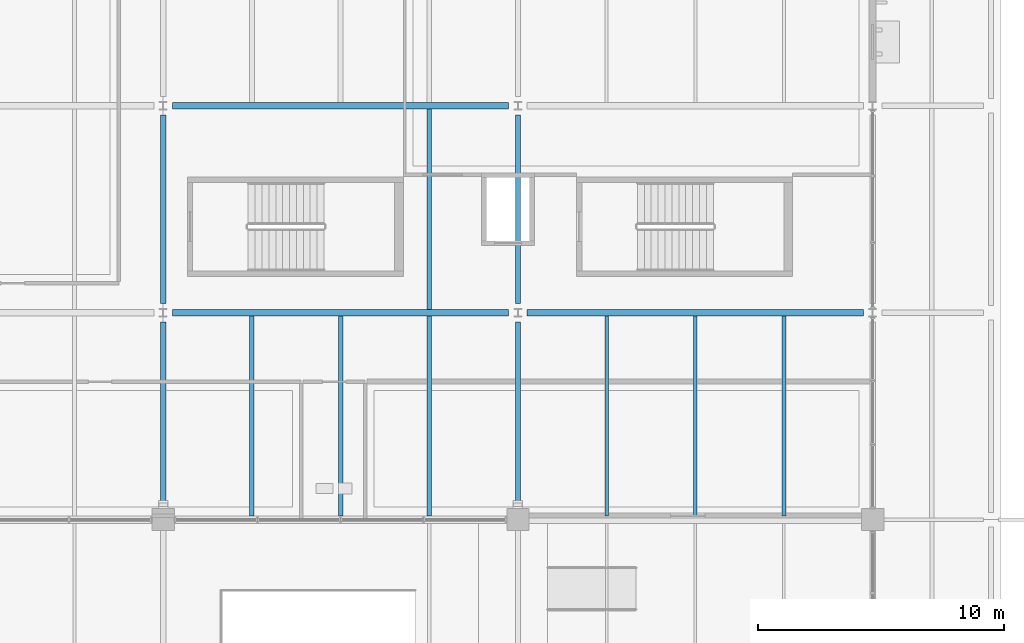
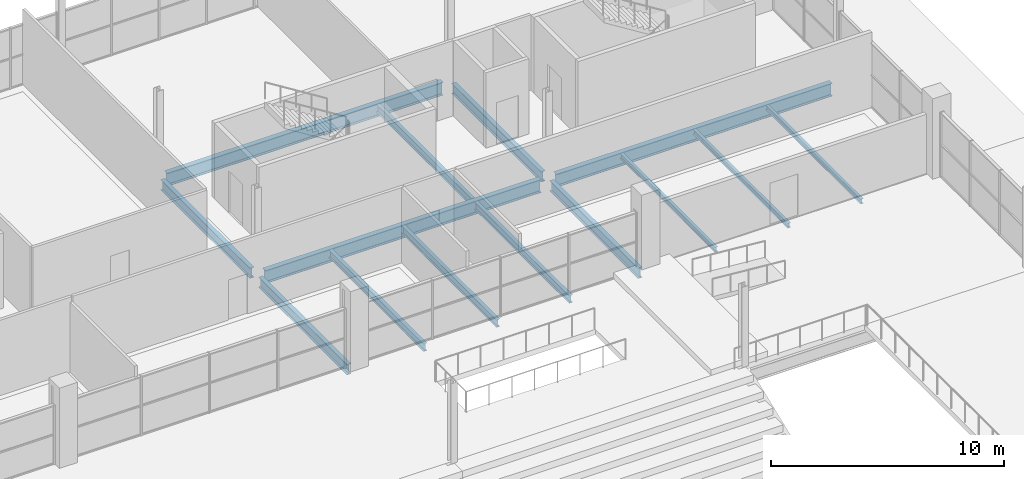
# One storey, part 82 of 161: 14 beams.
"""IFC4 building model written with IfcOpenShell, lengths in metres."""

from ifc_helpers import new_model, si_unit, direction, frame, origin, origin_2d, place, context, subcontext, project, spatial, i_section, extrude, material, material_profile, profile_set, type_object, element, save


model = new_model("IFC4")

# Units and contexts
model_context = context("Model", 3, precision=1e-05, world=origin(), true_north=direction((0.0, 1.0)))
body_context = subcontext(model_context, "Body", "Model", "MODEL_VIEW")
ifc_project = project(units=[si_unit("LENGTHUNIT", "METRE"), si_unit("AREAUNIT", "SQUARE_METRE"), si_unit("VOLUMEUNIT", "CUBIC_METRE"), si_unit("PLANEANGLEUNIT", "RADIAN"), si_unit("MASSUNIT", "GRAM", prefix="KILO"), si_unit("THERMODYNAMICTEMPERATUREUNIT", "KELVIN")], contexts=[model_context])

# Site, building, storey
site_placement = place(None, origin())
site = spatial("IfcSite", under=ifc_project, at=site_placement, CompositionType="ELEMENT")
building_placement = place(site_placement, origin())
building = spatial("IfcBuilding", under=site, at=building_placement, Name="Nduvali Passage Aquatics Centre", CompositionType="ELEMENT")
storey_placement = place(building_placement, frame((0.0, 0.0, 4.800048828125)))
storey = spatial("IfcBuildingStorey", under=building, at=storey_placement, Name="L01", CompositionType="ELEMENT", Elevation=4.800048828125)

# Beams
ifc_material = material(Name="Steel S355", Category="steel")
ifc_material_profile_1 = material_profile(ifc_material, i_section(OverallWidth=0.210693359375, OverallDepth=0.53955078125, WebThickness=0.01171875, FlangeThickness=0.018798828125, FilletRadius=0.0126953125, at=origin_2d()), Name="UKB 533x210x109")
ifc_profile_set_1 = profile_set([ifc_material_profile_1], Name="Steel S355")
beam_type_1 = type_object("IfcBeamType", Name="STR-BM-UKB533", PredefinedType="BEAM", material=ifc_profile_set_1)
beam_1_placement = place(storey_placement, frame((97.199951171875, 92.85009765625, -0.553955078125), z_axis=(0.0, 1.0, 0.0), x_axis=(-1.0, 0.0, 0.0)))
element("IfcBeam", 1, at=beam_1_placement, inside=storey, type_object=beam_type_1, Name="L01 Primary Y-Girder B6-0611", PredefinedType="BEAM", context=body_context, shape_type="SweptSolid", body=[
    extrude(i_section(OverallWidth=0.210693359375, OverallDepth=0.53955078125, WebThickness=0.01171875, FlangeThickness=0.018798828125, FilletRadius=0.0126953125, at=origin_2d()), origin(), (0.0, 0.0, 1.0), 7.574951171875),
])
beam_2_placement = place(storey_placement, frame((97.199951171875, 101.175048828125, -0.553955078125), z_axis=(0.0, 1.0, 0.0), x_axis=(-1.0, 0.0, 0.0)))
element("IfcBeam", 2, at=beam_2_placement, inside=storey, type_object=beam_type_1, Name="L01 Primary Y-Girder B6-0612", PredefinedType="BEAM", context=body_context, shape_type="SweptSolid", body=[
    extrude(i_section(OverallWidth=0.210693359375, OverallDepth=0.53955078125, WebThickness=0.01171875, FlangeThickness=0.018798828125, FilletRadius=0.0126953125, at=origin_2d()), origin(), (0.0, 0.0, 1.0), 7.64990234375),
])
beam_3_placement = place(storey_placement, frame((111.60009765625, 92.85009765625, -0.553955078125), z_axis=(0.0, 1.0, 0.0), x_axis=(-1.0, 0.0, 0.0)))
element("IfcBeam", 3, at=beam_3_placement, inside=storey, type_object=beam_type_1, Name="L01 Primary Y-Girder B6-0619", PredefinedType="BEAM", context=body_context, shape_type="SweptSolid", body=[
    extrude(i_section(OverallWidth=0.210693359375, OverallDepth=0.53955078125, WebThickness=0.01171875, FlangeThickness=0.018798828125, FilletRadius=0.0126953125, at=origin_2d()), origin(), (0.0, 0.0, 1.0), 7.574951171875),
])
beam_4_placement = place(storey_placement, frame((111.60009765625, 101.175048828125, -0.553955078125), z_axis=(0.0, 1.0, 0.0), x_axis=(-1.0, 0.0, 0.0)))
element("IfcBeam", 4, at=beam_4_placement, inside=storey, type_object=beam_type_1, Name="L01 Primary Y-Girder B6-0620", PredefinedType="BEAM", context=body_context, shape_type="SweptSolid", body=[
    extrude(i_section(OverallWidth=0.210693359375, OverallDepth=0.53955078125, WebThickness=0.01171875, FlangeThickness=0.018798828125, FilletRadius=0.0126953125, at=origin_2d()), origin(), (0.0, 0.0, 1.0), 7.64990234375),
])
ifc_material_profile_2 = material_profile(ifc_material, i_section(OverallWidth=0.253662109375, OverallDepth=0.68359375, WebThickness=0.012451171875, FlangeThickness=0.01904296875, FilletRadius=0.01513671875, at=origin_2d()), Name="UKB 686x254x140")
ifc_profile_set_2 = profile_set([ifc_material_profile_2], Name="Steel S355")
beam_type_2 = type_object("IfcBeamType", Name="STR-BM-UKB686", PredefinedType="BEAM", material=ifc_profile_set_2)
beam_5_placement = place(storey_placement, frame((97.574951171875, 100.800048828125, -0.625732421875), z_axis=(1.0, 0.0, 0.0), x_axis=(0.0, 1.0, 0.0)))
element("IfcBeam", 5, at=beam_5_placement, inside=storey, type_object=beam_type_2, Name="L01 Primary X-Girder B4-0541", PredefinedType="BEAM", context=body_context, shape_type="SweptSolid", body=[
    extrude(i_section(OverallWidth=0.253662109375, OverallDepth=0.68359375, WebThickness=0.012451171875, FlangeThickness=0.01904296875, FilletRadius=0.01513671875, at=origin_2d()), origin(), (0.0, 0.0, 1.0), 13.650146484375),
])
beam_6_placement = place(storey_placement, frame((111.97509765625, 100.800048828125, -0.625732421875), z_axis=(1.0, 0.0, 0.0), x_axis=(0.0, 1.0, 0.0)))
element("IfcBeam", 6, at=beam_6_placement, inside=storey, type_object=beam_type_2, Name="L01 Primary X-Girder B4-0542", PredefinedType="BEAM", context=body_context, shape_type="SweptSolid", body=[
    extrude(i_section(OverallWidth=0.253662109375, OverallDepth=0.68359375, WebThickness=0.012451171875, FlangeThickness=0.01904296875, FilletRadius=0.01513671875, at=origin_2d()), origin(), (0.0, 0.0, 1.0), 13.64990234375),
])
beam_7_placement = place(storey_placement, frame((97.574951171875, 109.199951171875, -0.625732421875), z_axis=(1.0, 0.0, 0.0), x_axis=(0.0, 1.0, 0.0)))
element("IfcBeam", 7, at=beam_7_placement, inside=storey, type_object=beam_type_2, Name="L01 Primary X-Girder B4-0548", PredefinedType="BEAM", context=body_context, shape_type="SweptSolid", body=[
    extrude(i_section(OverallWidth=0.253662109375, OverallDepth=0.68359375, WebThickness=0.012451171875, FlangeThickness=0.01904296875, FilletRadius=0.01513671875, at=origin_2d()), origin(), (0.0, 0.0, 1.0), 13.650146484375),
])
ifc_material_profile_3 = material_profile(ifc_material, i_section(OverallWidth=0.179931640625, OverallDepth=0.39990234375, WebThickness=0.008544921875, FlangeThickness=0.013427734375, FilletRadius=0.02099609375, at=origin_2d()), Name="IPE 400")
ifc_profile_set_3 = profile_set([ifc_material_profile_3], Name="Steel S355")
beam_type_3 = type_object("IfcBeamType", Name="STR-JST-IPE400", PredefinedType="JOIST", material=ifc_profile_set_3)
for number, where, z_axis, x_axis, name in (
    (8, (100.800048828125, 92.552001953125, -0.484130859375), (0.0, 1.0, 0.0), (-1.0, 0.0, 0.0), "L01 Secondary Joist J5-0826"),
    (9, (104.39990234375, 92.552001953125, -0.484130859375), (0.0, 1.0, 0.0), (-1.0, 0.0, 0.0), "L01 Secondary Joist J5-0827"),
    (10, (108.0, 92.552001953125, -0.484130859375), (0.0, 1.0, 0.0), (-1.0, 0.0, 0.0), "L01 Secondary Joist J5-0828"),
):
    element("IfcBeam", number, at=place(storey_placement, frame(where, z_axis=z_axis, x_axis=x_axis)), inside=storey, type_object=beam_type_3, Name=name, PredefinedType="JOIST", context=body_context, shape_type="SweptSolid", body=[
        extrude(i_section(OverallWidth=0.179931640625, OverallDepth=0.39990234375, WebThickness=0.008544921875, FlangeThickness=0.013427734375, FilletRadius=0.02099609375, at=origin_2d()), origin(), (0.0, 0.0, 1.0), 8.12109375),
    ])
ifc_material_profile_4 = material_profile(ifc_material, i_section(OverallWidth=0.146484375, OverallDepth=0.256103515625, WebThickness=0.00634765625, FlangeThickness=0.010986328125, FilletRadius=0.007568359375, at=origin_2d()), Name="UKB 254x146x37")
ifc_profile_set_4 = profile_set([ifc_material_profile_4], Name="Steel S355")
beam_type_4 = type_object("IfcBeamType", Name="STR-JST-UKB254", PredefinedType="JOIST", material=ifc_profile_set_4)
for number, where, z_axis, x_axis, name in (
    (11, (115.199951171875, 92.552001953125, -0.412109375), (0.0, 1.0, 0.0), (-1.0, 0.0, 0.0), "L01 Secondary Joist J4-0829"),
    (12, (118.800048828125, 92.552001953125, -0.412109375), (0.0, 1.0, 0.0), (-1.0, 0.0, 0.0), "L01 Secondary Joist J4-0830"),
    (13, (122.39990234375, 92.552001953125, -0.412109375), (0.0, 1.0, 0.0), (-1.0, 0.0, 0.0), "L01 Secondary Joist J4-0831"),
):
    element("IfcBeam", number, at=place(storey_placement, frame(where, z_axis=z_axis, x_axis=x_axis)), inside=storey, type_object=beam_type_4, Name=name, PredefinedType="JOIST", context=body_context, shape_type="SweptSolid", body=[
        extrude(i_section(OverallWidth=0.146484375, OverallDepth=0.256103515625, WebThickness=0.00634765625, FlangeThickness=0.010986328125, FilletRadius=0.007568359375, at=origin_2d()), origin(), (0.0, 0.0, 1.0), 8.12109375),
    ])
ifc_material_profile_5 = material_profile(ifc_material, i_section(OverallWidth=0.1787109375, OverallDepth=0.409423828125, WebThickness=0.0087890625, FlangeThickness=0.014404296875, FilletRadius=0.01025390625, at=origin_2d()), Name="UKB 406x178x67")
ifc_profile_set_5 = profile_set([ifc_material_profile_5], Name="Steel S355")
beam_type_5 = type_object("IfcBeamType", Name="STR-JST-UKB406", PredefinedType="JOIST", material=ifc_profile_set_5)
beam_8_placement = place(storey_placement, frame((108.0, 100.9267578125, -0.48876953125), z_axis=(0.0, 1.0, 0.0), x_axis=(-1.0, 0.0, 0.0)))
element("IfcBeam", 14, at=beam_8_placement, inside=storey, type_object=beam_type_5, Name="L01 Secondary Joist J1-0839", PredefinedType="JOIST", context=body_context, shape_type="SweptSolid", body=[
    extrude(i_section(OverallWidth=0.1787109375, OverallDepth=0.409423828125, WebThickness=0.0087890625, FlangeThickness=0.014404296875, FilletRadius=0.01025390625, at=origin_2d()), origin(), (0.0, 0.0, 1.0), 8.146484375),
])

save(model, "model.ifc")
